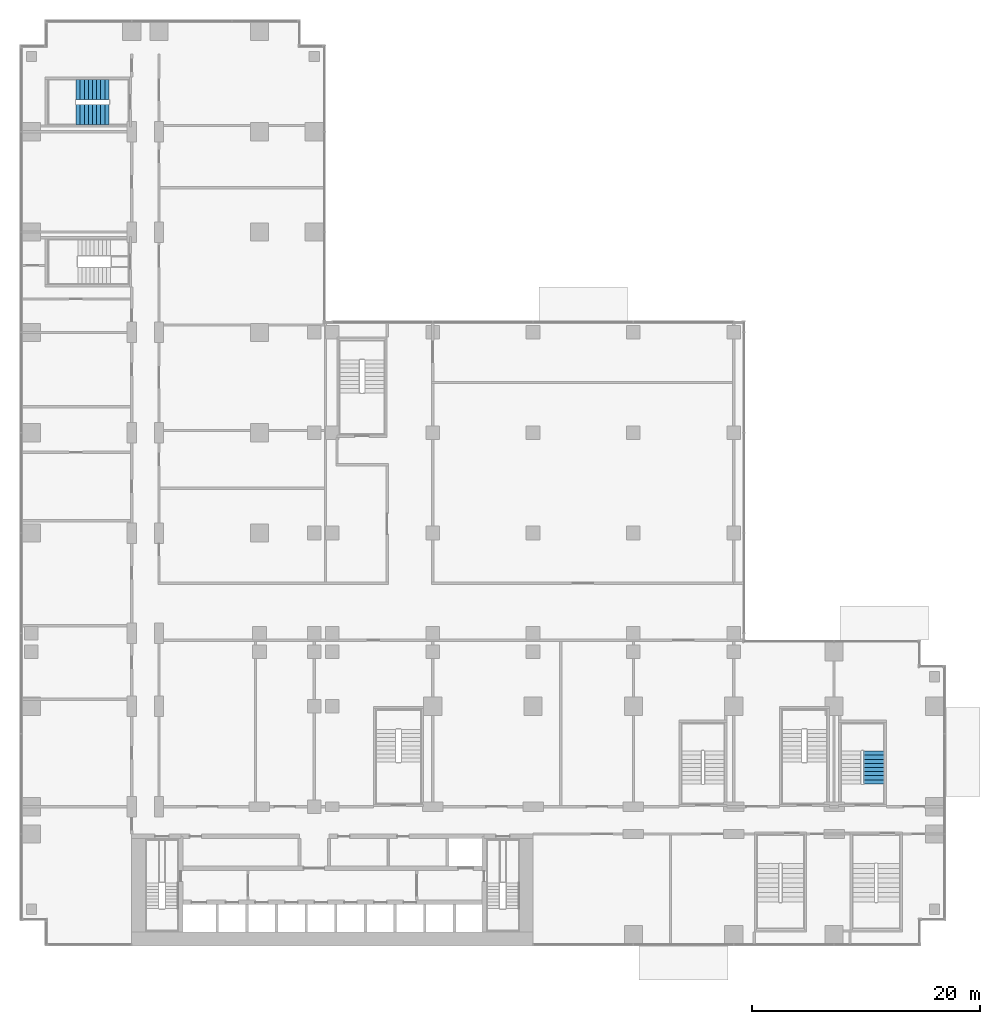
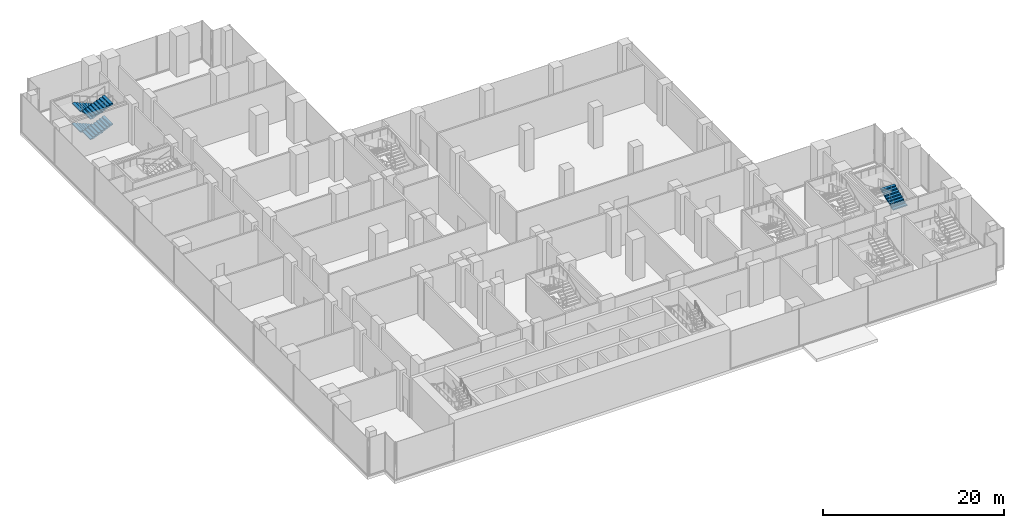
# One storey, part 24 of 30: 5 stair flights, 2 elements without a shape of their own.
"""IFC4 building model written with IfcOpenShell, lengths in metres."""

from ifc_helpers import new_model, si_unit, direction, frame, origin, place, context, subcontext, project, spatial, polyline, outline, extrude, material, type_object, element, aggregate, save


model = new_model("IFC4")

# Units and contexts
model_context = context("Model", 3, precision=1e-05, world=origin(), true_north=direction((0.0, 1.0)))
body_context = subcontext(model_context, "Body", "Model", "MODEL_VIEW")
ifc_project = project(units=[si_unit("LENGTHUNIT", "METRE"), si_unit("AREAUNIT", "SQUARE_METRE"), si_unit("VOLUMEUNIT", "CUBIC_METRE"), si_unit("PLANEANGLEUNIT", "RADIAN"), si_unit("MASSUNIT", "GRAM", prefix="KILO")], contexts=[model_context])

# Site, building, storey
site_placement = place(None, origin())
site = spatial("IfcSite", under=ifc_project, at=site_placement, CompositionType="ELEMENT")
building_placement = place(site_placement, origin())
building = spatial("IfcBuilding", under=site, at=building_placement, Name="Kemantara Hotel Tower", CompositionType="ELEMENT")
storey_placement = place(building_placement, frame((0.0, 0.0, 7.5)))
storey = spatial("IfcBuildingStorey", under=building, at=storey_placement, Name="L01", CompositionType="ELEMENT", Elevation=7.5)

# Stair, stair flight
ifc_material = material(Name="Concrete fc 40 MPa", Category="concrete")
stair_type = type_object("IfcStairType", Name="Stair 1800 wide 36 risers of 153 x 360 mm", PredefinedType="HALF_TURN_STAIR", material=ifc_material)
stair_1_placement = place(storey_placement, origin())
stair_1 = element("IfcStair", 1, at=stair_1_placement, inside=storey, type_object=stair_type, Name="L01 Exit stair ST5", PredefinedType="HALF_TURN_STAIR")
stair_flight_type = type_object("IfcStairFlightType", Name="Stair flight 1800 wide 153 x 360 mm", PredefinedType="STRAIGHT", material=ifc_material)
stair_flight_1_placement = place(storey_placement, frame((74.89990234375, 14.199951171875, 2.75), z_axis=(0.0, 0.0, 1.0), x_axis=(0.0, 1.0, 0.0)))
stair_flight_1 = element("IfcStairFlight", 2, at=stair_flight_1_placement, type_object=stair_flight_type, Name="ST5 flight 3", NumberOfRisers=9, NumberOfTreads=8, PredefinedType="STRAIGHT", RiserHeight=0.152777778, TreadLength=0.36, context=body_context, shape_type="SweptSolid", body=[
    extrude(outline(polyline([(0.0, 0.0), (0.0, 0.15283203125), (0.360107421875, 0.15283203125), (0.360107421875, 0.3056640625), (0.719970703125, 0.3056640625), (0.719970703125, 0.458251953125), (1.080078125, 0.458251953125), (1.080078125, 0.611083984375), (1.43994140625, 0.611083984375), (1.43994140625, 0.763916015625), (1.800048828125, 0.763916015625), (1.800048828125, 0.916748046875), (2.159912109375, 0.916748046875), (2.159912109375, 1.0693359375), (2.52001953125, 1.0693359375), (2.52001953125, 1.22216796875), (2.8798828125, 1.22216796875), (2.8798828125, 1.375), (2.8798828125, 1.059326171875), (0.3837890625, 0.0), (0.0, 0.0)])), frame((0.0, 0.89990234375, 0.0), z_axis=(0.0, -1.0, 0.0), x_axis=(1.0, 0.0, 0.0)), (0.0, 0.0, 1.0), 1.800048828125),
])
aggregate(stair_1, [stair_flight_1])

# Stair, stair flights
stair_2_placement = place(storey_placement, origin())
stair_2 = element("IfcStair", 3, at=stair_2_placement, inside=storey, type_object=stair_type, Name="L01 Exit stair ST6", PredefinedType="HALF_TURN_STAIR")
stair_flight_2_placement = place(storey_placement, frame((7.800048828125, 75.10009765625, 0.0), z_axis=(0.0, 0.0, 1.0), x_axis=(-1.0, 0.0, 0.0)))
stair_flight_2 = element("IfcStairFlight", 4, at=stair_flight_2_placement, type_object=stair_flight_type, Name="ST6 flight 1", NumberOfRisers=9, NumberOfTreads=8, PredefinedType="STRAIGHT", RiserHeight=0.152777778, TreadLength=0.36, context=body_context, shape_type="SweptSolid", body=[
    extrude(outline(polyline([(0.0, 0.0), (0.0, 0.15283203125), (0.360107421875, 0.15283203125), (0.360107421875, 0.3056640625), (0.719970703125, 0.3056640625), (0.719970703125, 0.458251953125), (1.080078125, 0.458251953125), (1.080078125, 0.611083984375), (1.43994140625, 0.611083984375), (1.43994140625, 0.763916015625), (1.800048828125, 0.763916015625), (1.800048828125, 0.916748046875), (2.159912109375, 0.916748046875), (2.159912109375, 1.0693359375), (2.52001953125, 1.0693359375), (2.52001953125, 1.22216796875), (2.8798828125, 1.22216796875), (2.8798828125, 1.375), (2.8798828125, 1.059326171875), (0.3837890625, 0.0), (0.0, 0.0)])), frame((0.0, 0.89990234375, 0.0), z_axis=(0.0, -1.0, 0.0), x_axis=(1.0, 0.0, 0.0)), (0.0, 0.0, 1.0), 1.800048828125),
])
stair_flight_3_placement = place(storey_placement, frame((4.919921875, 72.89990234375, 1.375), z_axis=(0.0, 0.0, 1.0), x_axis=(1.0, 0.0, 0.0)))
stair_flight_3 = element("IfcStairFlight", 5, at=stair_flight_3_placement, type_object=stair_flight_type, Name="ST6 flight 2", NumberOfRisers=9, NumberOfTreads=8, PredefinedType="STRAIGHT", RiserHeight=0.152777778, TreadLength=0.36, context=body_context, shape_type="SweptSolid", body=[
    extrude(outline(polyline([(0.0, 0.0), (0.0, 0.15283203125), (0.360107421875, 0.15283203125), (0.360107421875, 0.3056640625), (0.719970703125, 0.3056640625), (0.719970703125, 0.458251953125), (1.080078125, 0.458251953125), (1.080078125, 0.611083984375), (1.43994140625, 0.611083984375), (1.43994140625, 0.763916015625), (1.800048828125, 0.763916015625), (1.800048828125, 0.916748046875), (2.159912109375, 0.916748046875), (2.159912109375, 1.0693359375), (2.52001953125, 1.0693359375), (2.52001953125, 1.22216796875), (2.8798828125, 1.22216796875), (2.8798828125, 1.375), (2.8798828125, 1.059326171875), (0.3837890625, 0.0), (0.0, 0.0)])), frame((0.0, 0.89990234375, 0.0), z_axis=(0.0, -1.0, 0.0), x_axis=(1.0, 0.0, 0.0)), (0.0, 0.0, 1.0), 1.800048828125),
])
stair_flight_4_placement = place(storey_placement, frame((7.800048828125, 75.10009765625, 2.75), z_axis=(0.0, 0.0, 1.0), x_axis=(-1.0, 0.0, 0.0)))
stair_flight_4 = element("IfcStairFlight", 6, at=stair_flight_4_placement, type_object=stair_flight_type, Name="ST6 flight 3", NumberOfRisers=9, NumberOfTreads=8, PredefinedType="STRAIGHT", RiserHeight=0.152777778, TreadLength=0.36, context=body_context, shape_type="SweptSolid", body=[
    extrude(outline(polyline([(0.0, 0.0), (0.0, 0.15283203125), (0.360107421875, 0.15283203125), (0.360107421875, 0.3056640625), (0.719970703125, 0.3056640625), (0.719970703125, 0.458251953125), (1.080078125, 0.458251953125), (1.080078125, 0.611083984375), (1.43994140625, 0.611083984375), (1.43994140625, 0.763916015625), (1.800048828125, 0.763916015625), (1.800048828125, 0.916748046875), (2.159912109375, 0.916748046875), (2.159912109375, 1.0693359375), (2.52001953125, 1.0693359375), (2.52001953125, 1.22216796875), (2.8798828125, 1.22216796875), (2.8798828125, 1.375), (2.8798828125, 1.059326171875), (0.3837890625, 0.0), (0.0, 0.0)])), frame((0.0, 0.89990234375, 0.0), z_axis=(0.0, -1.0, 0.0), x_axis=(1.0, 0.0, 0.0)), (0.0, 0.0, 1.0), 1.800048828125),
])
stair_flight_5_placement = place(storey_placement, frame((4.919921875, 72.89990234375, 4.125), z_axis=(0.0, 0.0, 1.0), x_axis=(1.0, 0.0, 0.0)))
stair_flight_5 = element("IfcStairFlight", 7, at=stair_flight_5_placement, type_object=stair_flight_type, Name="ST6 flight 4", NumberOfRisers=9, NumberOfTreads=8, PredefinedType="STRAIGHT", RiserHeight=0.152777778, TreadLength=0.36, context=body_context, shape_type="SweptSolid", body=[
    extrude(outline(polyline([(0.0, 0.0), (0.0, 0.15283203125), (0.360107421875, 0.15283203125), (0.360107421875, 0.3056640625), (0.719970703125, 0.3056640625), (0.719970703125, 0.458251953125), (1.080078125, 0.458251953125), (1.080078125, 0.611083984375), (1.43994140625, 0.611083984375), (1.43994140625, 0.763916015625), (1.800048828125, 0.763916015625), (1.800048828125, 0.916748046875), (2.159912109375, 0.916748046875), (2.159912109375, 1.0693359375), (2.52001953125, 1.0693359375), (2.52001953125, 1.22216796875), (2.8798828125, 1.22216796875), (2.8798828125, 1.375), (2.8798828125, 1.059326171875), (0.3837890625, 0.0), (0.0, 0.0)])), frame((0.0, 0.89990234375, 0.0), z_axis=(0.0, -1.0, 0.0), x_axis=(1.0, 0.0, 0.0)), (0.0, 0.0, 1.0), 1.800048828125),
])
aggregate(stair_2, [stair_flight_2, stair_flight_3, stair_flight_4, stair_flight_5])

save(model, "model.ifc")
